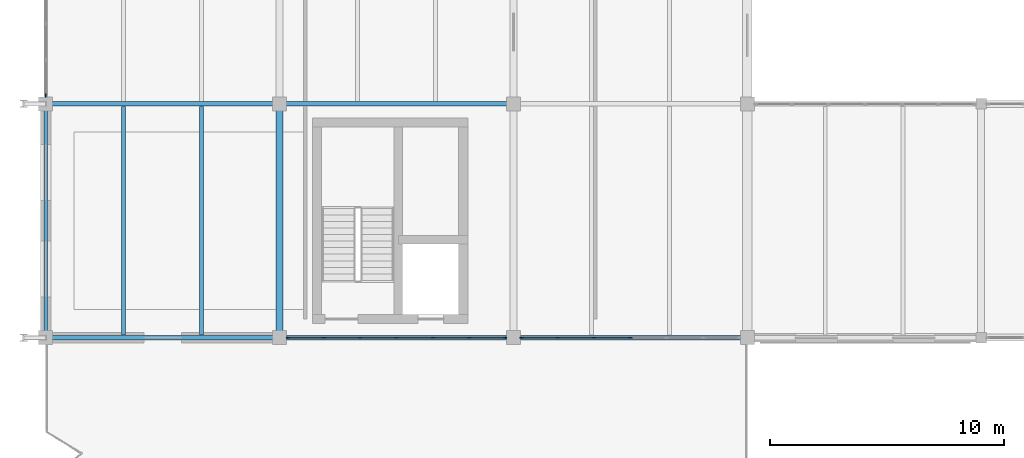
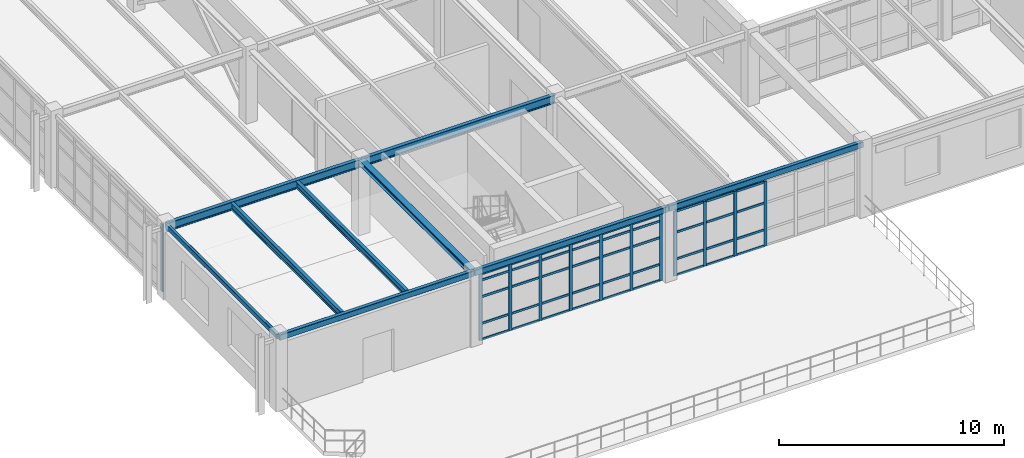
# One storey, part 24 of 122: 54 members, 9 beams, 3 elements without a shape of their own.
"""IFC4 building model written with IfcOpenShell, lengths in metres."""

import ifcopenshell
import ifcopenshell.guid

model = None  # the IFC model being written
_history = None  # IfcOwnerHistory: only IFC2X3 demands one
_inside = {}  # id of a spatial element -> (the spatial element, [elements in it])
_under = {}  # id of a project, library or spatial element -> (it, [spatial elements below it])
_declared = {}  # id of a project -> (the project, [libraries it declares])
_typed = {}  # id of a type object -> (the type object, [elements of that type])
_made_of = {}  # id of a material, layer set ... -> (it, [elements and type objects made of it])


def new_model(schema):
    """Start an empty IFC model of exactly this schema.

    Asked for "IFC4X3", IfcOpenShell would pick the latest addendum, in which some entities
    have other attributes; the version numbers below select the first issue.
    IFC2X3 requires an IfcOwnerHistory on every rooted entity: one is made here for all.
    """
    global model, _history
    if schema == "IFC4X3":
        model = ifcopenshell.file(schema_version=(4, 3, 0, 0))
    else:
        model = ifcopenshell.file(schema=schema)
    _inside.clear()
    _under.clear()
    _declared.clear()
    _typed.clear()
    _made_of.clear()
    _history = None
    if model.schema == "IFC2X3":
        org = make("IfcOrganization", Name="unknown")
        user = make(
            "IfcPersonAndOrganization",
            ThePerson=make("IfcPerson", FamilyName="unknown"),
            TheOrganization=org,
        )
        app = make(
            "IfcApplication",
            ApplicationDeveloper=org,
            Version="unknown",
            ApplicationFullName="unknown",
            ApplicationIdentifier="unknown",
        )
        _history = make(
            "IfcOwnerHistory",
            OwningUser=user,
            OwningApplication=app,
            ChangeAction="ADDED",
            CreationDate=0,
        )
    return model


def make(cls, **values):
    """One entity of the class cls with the attributes given. An attribute that is None is left unset."""
    return model.create_entity(
        cls, **{name: value for name, value in values.items() if value is not None}
    )


def rooted(cls, **values):
    """An entity with a GlobalId (a new one), such as an element, a storey or a relation."""
    return make(cls, GlobalId=ifcopenshell.guid.new(), OwnerHistory=_history, **values)


def si_unit(unit_type, name, prefix=None):
    """IfcSIUnit, for example si_unit("LENGTHUNIT", "METRE", prefix="MILLI")."""
    return make("IfcSIUnit", UnitType=unit_type, Prefix=prefix, Name=name)


def assignment(units):
    """IfcUnitAssignment: the units of a project."""
    return None if units is None else make("IfcUnitAssignment", Units=units)


def point(xyz):
    """IfcCartesianPoint."""
    return None if xyz is None else make("IfcCartesianPoint", Coordinates=xyz)


def direction(xyz):
    """IfcDirection."""
    return None if xyz is None else make("IfcDirection", DirectionRatios=xyz)


def frame(location, z_axis=None, x_axis=None):
    """IfcAxis2Placement3D, a coordinate frame: its origin and axes. An axis left out is left unset."""
    return make(
        "IfcAxis2Placement3D",
        Location=point(location),
        Axis=direction(z_axis),
        RefDirection=direction(x_axis),
    )


def frame_2d(location, x_axis=None):
    """IfcAxis2Placement2D, a coordinate frame in the plane: its origin and x axis."""
    return make(
        "IfcAxis2Placement2D", Location=point(location), RefDirection=direction(x_axis)
    )


def origin():
    """The frame at (0, 0, 0) with its axes left unset."""
    return frame((0.0, 0.0, 0.0))


def origin_2d():
    """The frame at (0, 0) in the plane with its x axis left unset."""
    return frame_2d((0.0, 0.0))


def place(relative_to, where):
    """IfcLocalPlacement: puts the frame where relative to a parent placement (None: the world)."""
    return make(
        "IfcLocalPlacement", PlacementRelTo=relative_to, RelativePlacement=where
    )


def context(
    kind, dimensions, precision=None, world=None, true_north=None, identifier=None
):
    """IfcGeometricRepresentationContext, for example the 3D "Model" context."""
    return make(
        "IfcGeometricRepresentationContext",
        ContextIdentifier=identifier,
        ContextType=kind,
        CoordinateSpaceDimension=dimensions,
        Precision=precision,
        WorldCoordinateSystem=world,
        TrueNorth=true_north,
    )


def subcontext(parent, identifier, kind, view, scale=None):
    """IfcGeometricRepresentationSubContext, for example "Body" below "Model"."""
    return make(
        "IfcGeometricRepresentationSubContext",
        ContextIdentifier=identifier,
        ContextType=kind,
        ParentContext=parent,
        TargetScale=scale,
        TargetView=view,
    )


def project(units=None, contexts=None):
    """IfcProject with its units and contexts."""
    return rooted(
        "IfcProject",
        Name="project",
        RepresentationContexts=contexts,
        UnitsInContext=assignment(units),
    )


def spatial(cls, under=None, at=None, **own):
    """A site, building, storey or space (cls), placed at a placement, below another one or the project."""
    s = rooted(cls, ObjectPlacement=at, **own)
    if under is not None:
        _under.setdefault(under.id(), (under, []))[1].append(s)
    return s


def profile(cls, at=None, kind="AREA", **sizes):
    """A parametric profile (cls). Its sizes go by their IFC names, for example OverallWidth=200.0."""
    return make(cls, ProfileType=kind, Position=at, **sizes)


def rectangle(**sizes):
    """IfcRectangleProfileDef."""
    return profile("IfcRectangleProfileDef", **sizes)


def hollow_rectangle(**sizes):
    """IfcRectangleHollowProfileDef."""
    return profile("IfcRectangleHollowProfileDef", **sizes)


def i_section(**sizes):
    """IfcIShapeProfileDef."""
    return profile("IfcIShapeProfileDef", **sizes)


def extrude(swept, where, along, depth):
    """IfcExtrudedAreaSolid: the profile swept, set in the frame where, extruded along a direction by depth."""
    return make(
        "IfcExtrudedAreaSolid",
        SweptArea=swept,
        Position=where,
        ExtrudedDirection=direction(along),
        Depth=depth,
    )


def shape(context_of_items, identifier, shape_type, items):
    """IfcShapeRepresentation: the items that make up one representation, for example the "Body"."""
    return make(
        "IfcShapeRepresentation",
        ContextOfItems=context_of_items,
        RepresentationIdentifier=identifier,
        RepresentationType=shape_type,
        Items=items,
    )


def material(Name=None, Category=None):
    """IfcMaterial."""
    return make("IfcMaterial", Name=Name, Category=Category)


def layer(
    of_material, thickness, ventilated=None, Name=None, Category=None, Priority=None
):
    """IfcMaterialLayer: one layer of a wall or slab, of a material (None: an air gap)."""
    return make(
        "IfcMaterialLayer",
        Material=of_material,
        LayerThickness=thickness,
        IsVentilated=ventilated,
        Name=Name,
        Category=Category,
        Priority=Priority,
    )


def layer_set(layers, Name=None):
    """IfcMaterialLayerSet."""
    return make("IfcMaterialLayerSet", MaterialLayers=layers, LayerSetName=Name)


def material_profile(
    of_material, cross_section, Name=None, Category=None, Priority=None
):
    """IfcMaterialProfile: a cross section and its material."""
    return make(
        "IfcMaterialProfile",
        Name=Name,
        Material=of_material,
        Profile=cross_section,
        Priority=Priority,
        Category=Category,
    )


def profile_set(profiles, Name=None, composite=None):
    """IfcMaterialProfileSet."""
    return make(
        "IfcMaterialProfileSet",
        Name=Name,
        MaterialProfiles=profiles,
        CompositeProfile=composite,
    )


def made_of(thing, what):
    """Note that an element or type object is made of a material, layer set ...; save() writes the relation."""
    if what is not None:
        _made_of.setdefault(what.id(), (what, []))[1].append(thing)
    return thing


def type_object(cls, material=None, **own):
    """A type object (cls), such as IfcWallType, which elements share."""
    return made_of(rooted(cls, **own), material)


def element(
    cls,
    number,
    at=None,
    inside=None,
    cuts=None,
    type_object=None,
    material=None,
    context=None,
    identifier="Body",
    shape_type=None,
    held_by="IfcProductDefinitionShape",
    body=None,
    shapes=None,
    **own,
):
    """One element of the class cls, such as IfcWall. Its Tag is "e" and its number.

    at: its placement. inside: the storey or other place that contains it. cuts: it is an
    opening in that element (IfcRelVoidsElement). A single representation is given by context,
    identifier, shape_type and body (its items); several are given by shapes. held_by: the class
    of the entity that holds the representations. save() writes the other relations.
    """
    e = rooted(cls, Tag="e%d" % number, ObjectPlacement=at, **own)
    if body is not None:
        shapes = [shape(context, identifier, shape_type, body)]
    if shapes is not None:
        e.Representation = make(held_by, Representations=shapes)
    if inside is not None:
        _inside.setdefault(inside.id(), (inside, []))[1].append(e)
    if cuts is not None:
        rooted(
            "IfcRelVoidsElement", RelatingBuildingElement=cuts, RelatedOpeningElement=e
        )
    if type_object is not None:
        _typed.setdefault(type_object.id(), (type_object, []))[1].append(e)
    return made_of(e, material)


def aggregate(whole, parts):
    """IfcRelAggregates: a whole, such as a stair, and the parts it consists of."""
    return rooted("IfcRelAggregates", RelatingObject=whole, RelatedObjects=parts)


def save(model, path):
    """Write the relations noted so far, then the file.

    IfcRelAggregates (storeys below a building ...), IfcRelContainedInSpatialStructure (elements
    in a storey), IfcRelDefinesByType, IfcRelAssociatesMaterial and IfcRelDeclares: one each for
    every whole, place, type object, material and project.
    """
    for whole, parts in _under.values():
        aggregate(whole, parts)
    for where, things in _inside.values():
        rooted(
            "IfcRelContainedInSpatialStructure",
            RelatedElements=things,
            RelatingStructure=where,
        )
    for kind, things in _typed.values():
        rooted("IfcRelDefinesByType", RelatedObjects=things, RelatingType=kind)
    for what, things in _made_of.values():
        rooted("IfcRelAssociatesMaterial", RelatedObjects=things, RelatingMaterial=what)
    for by, libraries in _declared.values():
        rooted("IfcRelDeclares", RelatingContext=by, RelatedDefinitions=libraries)
    model.write(path)


model = new_model("IFC4")

# Units and contexts
model_context = context("Model", 3, precision=1e-05, world=origin(), true_north=direction((0.0, 1.0)))
body_context = subcontext(model_context, "Body", "Model", "MODEL_VIEW")
ifc_project = project(units=[si_unit("LENGTHUNIT", "METRE"), si_unit("AREAUNIT", "SQUARE_METRE"), si_unit("VOLUMEUNIT", "CUBIC_METRE"), si_unit("PLANEANGLEUNIT", "RADIAN"), si_unit("MASSUNIT", "GRAM", prefix="KILO"), si_unit("THERMODYNAMICTEMPERATUREUNIT", "KELVIN"), si_unit("POWERUNIT", "WATT")], contexts=[model_context])

# Site, building, storey
site_placement = place(None, origin())
site = spatial("IfcSite", under=ifc_project, at=site_placement, CompositionType="ELEMENT")
building_placement = place(site_placement, origin())
building = spatial("IfcBuilding", under=site, at=building_placement, Name="Korenveer Ferry Terminal", CompositionType="ELEMENT")
storey_placement = place(building_placement, frame((0.0, 0.0, 10.199951171875)))
storey = spatial("IfcBuildingStorey", under=building, at=storey_placement, Name="L02", CompositionType="ELEMENT", Elevation=10.199951171875)

# Curtain wall, members
ifc_material_1 = material(Name="Unitised bronze-and-glass curtain wall", Category="glass")
ifc_layer_1 = layer(ifc_material_1, 0.159912109375)
ifc_layer_set_1 = layer_set([ifc_layer_1], Name="Unitised bronze-and-glass curtain wall")
curtain_wall_type_1 = type_object("IfcCurtainWallType", Name="ENV-CW-82", PredefinedType="USERDEFINED", material=ifc_layer_set_1)
curtain_wall_1_placement = place(storey_placement, frame((10.330078125, 20.0, 0.0)))
curtain_wall_1 = element("IfcCurtainWall", 1, at=curtain_wall_1_placement, inside=storey, type_object=curtain_wall_type_1, Name="Lancet curtain wall CWX-L02-X10-20-Y20-20", ObjectType="UNITISED CURTAIN WALL", PredefinedType="USERDEFINED")
ifc_material_2 = material(Name="Anodised bronze aluminium", Category="aluminium")
ifc_material_profile_1 = material_profile(ifc_material_2, rectangle(XDim=0.06005859375, YDim=0.159912109375, at=origin_2d()), Name="ALU 60x160")
ifc_profile_set_1 = profile_set([ifc_material_profile_1], Name="Anodised bronze aluminium")
member_type_1 = type_object("IfcMemberType", Name="ENV-CWM-60X160", PredefinedType="MULLION", material=ifc_profile_set_1)
member_1_placement = place(storey_placement, frame((10.360107421875, 20.0, 0.0), z_axis=(0.0, 0.0, 1.0), x_axis=(0.0, 1.0, 0.0)))
member_1 = element("IfcMember", 2, at=member_1_placement, type_object=member_type_1, Name="CW-82 mullion 1", PredefinedType="MULLION", context=body_context, shape_type="SweptSolid", body=[
    extrude(rectangle(XDim=0.06005859375, YDim=0.159912109375, at=origin_2d()), origin(), (0.0, 0.0, 1.0), 3.6201171875),
])
member_2_placement = place(storey_placement, frame((11.88671875, 20.0, 0.0), z_axis=(0.0, 0.0, 1.0), x_axis=(0.0, 1.0, 0.0)))
member_2 = element("IfcMember", 3, at=member_2_placement, type_object=member_type_1, Name="CW-82 mullion 2", PredefinedType="MULLION", context=body_context, shape_type="SweptSolid", body=[
    extrude(rectangle(XDim=0.06005859375, YDim=0.159912109375, at=origin_2d()), origin(), (0.0, 0.0, 1.0), 3.6201171875),
])
member_3_placement = place(storey_placement, frame((13.443359375, 20.0, 0.0), z_axis=(0.0, 0.0, 1.0), x_axis=(0.0, 1.0, 0.0)))
member_3 = element("IfcMember", 4, at=member_3_placement, type_object=member_type_1, Name="CW-82 mullion 3", PredefinedType="MULLION", context=body_context, shape_type="SweptSolid", body=[
    extrude(rectangle(XDim=0.06005859375, YDim=0.159912109375, at=origin_2d()), origin(), (0.0, 0.0, 1.0), 3.6201171875),
])
member_4_placement = place(storey_placement, frame((15.0, 20.0, 0.0), z_axis=(0.0, 0.0, 1.0), x_axis=(0.0, 1.0, 0.0)))
member_4 = element("IfcMember", 5, at=member_4_placement, type_object=member_type_1, Name="CW-82 mullion 4", PredefinedType="MULLION", context=body_context, shape_type="SweptSolid", body=[
    extrude(rectangle(XDim=0.06005859375, YDim=0.159912109375, at=origin_2d()), origin(), (0.0, 0.0, 1.0), 3.6201171875),
])
member_5_placement = place(storey_placement, frame((16.556640625, 20.0, 0.0), z_axis=(0.0, 0.0, 1.0), x_axis=(0.0, 1.0, 0.0)))
member_5 = element("IfcMember", 6, at=member_5_placement, type_object=member_type_1, Name="CW-82 mullion 5", PredefinedType="MULLION", context=body_context, shape_type="SweptSolid", body=[
    extrude(rectangle(XDim=0.06005859375, YDim=0.159912109375, at=origin_2d()), origin(), (0.0, 0.0, 1.0), 3.6201171875),
])
member_6_placement = place(storey_placement, frame((18.11328125, 20.0, 0.0), z_axis=(0.0, 0.0, 1.0), x_axis=(0.0, 1.0, 0.0)))
member_6 = element("IfcMember", 7, at=member_6_placement, type_object=member_type_1, Name="CW-82 mullion 6", PredefinedType="MULLION", context=body_context, shape_type="SweptSolid", body=[
    extrude(rectangle(XDim=0.06005859375, YDim=0.159912109375, at=origin_2d()), origin(), (0.0, 0.0, 1.0), 3.6201171875),
])
member_7_placement = place(storey_placement, frame((19.639892578125, 20.0, 0.0), z_axis=(0.0, 0.0, 1.0), x_axis=(0.0, 1.0, 0.0)))
member_7 = element("IfcMember", 8, at=member_7_placement, type_object=member_type_1, Name="CW-82 mullion 7", PredefinedType="MULLION", context=body_context, shape_type="SweptSolid", body=[
    extrude(rectangle(XDim=0.06005859375, YDim=0.159912109375, at=origin_2d()), origin(), (0.0, 0.0, 1.0), 3.6201171875),
])

ifc_layer_2 = layer(ifc_material_1, 0.159912109375)
ifc_layer_set_2 = layer_set([ifc_layer_2], Name="Unitised bronze-and-glass curtain wall")
curtain_wall_type_2 = type_object("IfcCurtainWallType", Name="ENV-CW-83", PredefinedType="USERDEFINED", material=ifc_layer_set_2)
curtain_wall_2_placement = place(storey_placement, frame((20.330078125, 20.0, 0.0)))
curtain_wall_2 = element("IfcCurtainWall", 9, at=curtain_wall_2_placement, inside=storey, type_object=curtain_wall_type_2, Name="Lancet curtain wall CWX-L02-X20-30-Y20-20", ObjectType="UNITISED CURTAIN WALL", PredefinedType="USERDEFINED")
member_8_placement = place(storey_placement, frame((20.360107421875, 20.0, 0.0), z_axis=(0.0, 0.0, 1.0), x_axis=(0.0, 1.0, 0.0)))
member_8 = element("IfcMember", 10, at=member_8_placement, type_object=member_type_1, Name="CW-83 mullion 1", PredefinedType="MULLION", context=body_context, shape_type="SweptSolid", body=[
    extrude(rectangle(XDim=0.06005859375, YDim=0.159912109375, at=origin_2d()), origin(), (0.0, 0.0, 1.0), 3.52001953125),
])
member_9_placement = place(storey_placement, frame((21.88671875, 20.0, 0.0), z_axis=(0.0, 0.0, 1.0), x_axis=(0.0, 1.0, 0.0)))
member_9 = element("IfcMember", 11, at=member_9_placement, type_object=member_type_1, Name="CW-83 mullion 2", PredefinedType="MULLION", context=body_context, shape_type="SweptSolid", body=[
    extrude(rectangle(XDim=0.06005859375, YDim=0.159912109375, at=origin_2d()), origin(), (0.0, 0.0, 1.0), 3.52001953125),
])
member_10_placement = place(storey_placement, frame((23.443359375, 20.0, 0.0), z_axis=(0.0, 0.0, 1.0), x_axis=(0.0, 1.0, 0.0)))
member_10 = element("IfcMember", 12, at=member_10_placement, type_object=member_type_1, Name="CW-83 mullion 3", PredefinedType="MULLION", context=body_context, shape_type="SweptSolid", body=[
    extrude(rectangle(XDim=0.06005859375, YDim=0.159912109375, at=origin_2d()), origin(), (0.0, 0.0, 1.0), 3.52001953125),
])
member_11_placement = place(storey_placement, frame((25.0, 20.0, 0.0), z_axis=(0.0, 0.0, 1.0), x_axis=(0.0, 1.0, 0.0)))
member_11 = element("IfcMember", 13, at=member_11_placement, type_object=member_type_1, Name="CW-83 mullion 4", PredefinedType="MULLION", context=body_context, shape_type="SweptSolid", body=[
    extrude(rectangle(XDim=0.06005859375, YDim=0.159912109375, at=origin_2d()), origin(), (0.0, 0.0, 1.0), 3.52001953125),
])

# Curtain wall, member
ifc_layer_3 = layer(ifc_material_1, 0.159912109375)
ifc_layer_set_3 = layer_set([ifc_layer_3], Name="Unitised bronze-and-glass curtain wall")
curtain_wall_type_3 = type_object("IfcCurtainWallType", Name="ENV-CW-104", PredefinedType="USERDEFINED", material=ifc_layer_set_3)
curtain_wall_3_placement = place(storey_placement, frame((0.0, 30.330078125, 0.0)))
curtain_wall_3 = element("IfcCurtainWall", 14, at=curtain_wall_3_placement, inside=storey, type_object=curtain_wall_type_3, Name="Lancet curtain wall CWX-L02-X0-0-Y30-40", ObjectType="UNITISED CURTAIN WALL", PredefinedType="USERDEFINED")
member_12_placement = place(storey_placement, frame((0.0, 30.360107421875, 0.0), z_axis=(0.0, 0.0, 1.0), x_axis=(-1.0, 0.0, 0.0)))
member_12 = element("IfcMember", 15, at=member_12_placement, type_object=member_type_1, Name="CW-104 mullion 1", PredefinedType="MULLION", context=body_context, shape_type="SweptSolid", body=[
    extrude(rectangle(XDim=0.06005859375, YDim=0.159912109375, at=origin_2d()), origin(), (0.0, 0.0, 1.0), 3.670166015625),
])
aggregate(curtain_wall_3, [member_12])

# Member
ifc_material_profile_2 = material_profile(ifc_material_2, rectangle(XDim=0.06005859375, YDim=0.1201171875, at=origin_2d()), Name="ALU 60x120")
ifc_profile_set_2 = profile_set([ifc_material_profile_2], Name="Anodised bronze aluminium")
member_type_2 = type_object("IfcMemberType", Name="ENV-CWT-60X120", PredefinedType="USERDEFINED", material=ifc_profile_set_2)
member_13_placement = place(storey_placement, frame((10.389892578125, 20.0, 0.030029296875), z_axis=(1.0, 0.0, 0.0), x_axis=(0.0, 1.0, 0.0)))
member_13 = element("IfcMember", 16, at=member_13_placement, type_object=member_type_2, Name="CW-82 transom 1.1", ObjectType="TRANSOM", PredefinedType="USERDEFINED", context=body_context, shape_type="SweptSolid", body=[
    extrude(rectangle(XDim=0.06005859375, YDim=0.1201171875, at=origin_2d()), origin(), (0.0, 0.0, 1.0), 1.466796875),
])

member_14_placement = place(storey_placement, frame((10.389892578125, 20.0, 0.900146484375), z_axis=(1.0, 0.0, 0.0), x_axis=(0.0, 1.0, 0.0)))
member_14 = element("IfcMember", 17, at=member_14_placement, type_object=member_type_2, Name="CW-82 transom 1.2", ObjectType="TRANSOM", PredefinedType="USERDEFINED", context=body_context, shape_type="SweptSolid", body=[
    extrude(rectangle(XDim=0.06005859375, YDim=0.1201171875, at=origin_2d()), origin(), (0.0, 0.0, 1.0), 1.466796875),
])

member_15_placement = place(storey_placement, frame((10.389892578125, 20.0, 2.35009765625), z_axis=(1.0, 0.0, 0.0), x_axis=(0.0, 1.0, 0.0)))
member_15 = element("IfcMember", 18, at=member_15_placement, type_object=member_type_2, Name="CW-82 transom 1.3", ObjectType="TRANSOM", PredefinedType="USERDEFINED", context=body_context, shape_type="SweptSolid", body=[
    extrude(rectangle(XDim=0.06005859375, YDim=0.1201171875, at=origin_2d()), origin(), (0.0, 0.0, 1.0), 1.466796875),
])

member_16_placement = place(storey_placement, frame((10.389892578125, 20.0, 3.25), z_axis=(1.0, 0.0, 0.0), x_axis=(0.0, 1.0, 0.0)))
member_16 = element("IfcMember", 19, at=member_16_placement, type_object=member_type_2, Name="CW-82 transom 1.4", ObjectType="TRANSOM", PredefinedType="USERDEFINED", context=body_context, shape_type="SweptSolid", body=[
    extrude(rectangle(XDim=0.06005859375, YDim=0.1201171875, at=origin_2d()), origin(), (0.0, 0.0, 1.0), 1.466796875),
])

member_17_placement = place(storey_placement, frame((10.389892578125, 20.0, 3.590087890625), z_axis=(1.0, 0.0, 0.0), x_axis=(0.0, 1.0, 0.0)))
member_17 = element("IfcMember", 20, at=member_17_placement, type_object=member_type_2, Name="CW-82 transom 1.5", ObjectType="TRANSOM", PredefinedType="USERDEFINED", context=body_context, shape_type="SweptSolid", body=[
    extrude(rectangle(XDim=0.06005859375, YDim=0.1201171875, at=origin_2d()), origin(), (0.0, 0.0, 1.0), 1.466796875),
])

member_18_placement = place(storey_placement, frame((11.916748046875, 20.0, 0.030029296875), z_axis=(1.0, 0.0, 0.0), x_axis=(0.0, 1.0, 0.0)))
member_18 = element("IfcMember", 21, at=member_18_placement, type_object=member_type_2, Name="CW-82 transom 2.1", ObjectType="TRANSOM", PredefinedType="USERDEFINED", context=body_context, shape_type="SweptSolid", body=[
    extrude(rectangle(XDim=0.06005859375, YDim=0.1201171875, at=origin_2d()), origin(), (0.0, 0.0, 1.0), 1.49658203125),
])

member_19_placement = place(storey_placement, frame((11.916748046875, 20.0, 0.900146484375), z_axis=(1.0, 0.0, 0.0), x_axis=(0.0, 1.0, 0.0)))
member_19 = element("IfcMember", 22, at=member_19_placement, type_object=member_type_2, Name="CW-82 transom 2.2", ObjectType="TRANSOM", PredefinedType="USERDEFINED", context=body_context, shape_type="SweptSolid", body=[
    extrude(rectangle(XDim=0.06005859375, YDim=0.1201171875, at=origin_2d()), origin(), (0.0, 0.0, 1.0), 1.49658203125),
])

member_20_placement = place(storey_placement, frame((11.916748046875, 20.0, 2.35009765625), z_axis=(1.0, 0.0, 0.0), x_axis=(0.0, 1.0, 0.0)))
member_20 = element("IfcMember", 23, at=member_20_placement, type_object=member_type_2, Name="CW-82 transom 2.3", ObjectType="TRANSOM", PredefinedType="USERDEFINED", context=body_context, shape_type="SweptSolid", body=[
    extrude(rectangle(XDim=0.06005859375, YDim=0.1201171875, at=origin_2d()), origin(), (0.0, 0.0, 1.0), 1.49658203125),
])

member_21_placement = place(storey_placement, frame((11.916748046875, 20.0, 3.25), z_axis=(1.0, 0.0, 0.0), x_axis=(0.0, 1.0, 0.0)))
member_21 = element("IfcMember", 24, at=member_21_placement, type_object=member_type_2, Name="CW-82 transom 2.4", ObjectType="TRANSOM", PredefinedType="USERDEFINED", context=body_context, shape_type="SweptSolid", body=[
    extrude(rectangle(XDim=0.06005859375, YDim=0.1201171875, at=origin_2d()), origin(), (0.0, 0.0, 1.0), 1.49658203125),
])

member_22_placement = place(storey_placement, frame((11.916748046875, 20.0, 3.590087890625), z_axis=(1.0, 0.0, 0.0), x_axis=(0.0, 1.0, 0.0)))
member_22 = element("IfcMember", 25, at=member_22_placement, type_object=member_type_2, Name="CW-82 transom 2.5", ObjectType="TRANSOM", PredefinedType="USERDEFINED", context=body_context, shape_type="SweptSolid", body=[
    extrude(rectangle(XDim=0.06005859375, YDim=0.1201171875, at=origin_2d()), origin(), (0.0, 0.0, 1.0), 1.49658203125),
])

member_23_placement = place(storey_placement, frame((13.473388671875, 20.0, 0.030029296875), z_axis=(1.0, 0.0, 0.0), x_axis=(0.0, 1.0, 0.0)))
member_23 = element("IfcMember", 26, at=member_23_placement, type_object=member_type_2, Name="CW-82 transom 3.1", ObjectType="TRANSOM", PredefinedType="USERDEFINED", context=body_context, shape_type="SweptSolid", body=[
    extrude(rectangle(XDim=0.06005859375, YDim=0.1201171875, at=origin_2d()), origin(), (0.0, 0.0, 1.0), 1.49658203125),
])

member_24_placement = place(storey_placement, frame((13.473388671875, 20.0, 0.900146484375), z_axis=(1.0, 0.0, 0.0), x_axis=(0.0, 1.0, 0.0)))
member_24 = element("IfcMember", 27, at=member_24_placement, type_object=member_type_2, Name="CW-82 transom 3.2", ObjectType="TRANSOM", PredefinedType="USERDEFINED", context=body_context, shape_type="SweptSolid", body=[
    extrude(rectangle(XDim=0.06005859375, YDim=0.1201171875, at=origin_2d()), origin(), (0.0, 0.0, 1.0), 1.49658203125),
])

member_25_placement = place(storey_placement, frame((13.473388671875, 20.0, 2.35009765625), z_axis=(1.0, 0.0, 0.0), x_axis=(0.0, 1.0, 0.0)))
member_25 = element("IfcMember", 28, at=member_25_placement, type_object=member_type_2, Name="CW-82 transom 3.3", ObjectType="TRANSOM", PredefinedType="USERDEFINED", context=body_context, shape_type="SweptSolid", body=[
    extrude(rectangle(XDim=0.06005859375, YDim=0.1201171875, at=origin_2d()), origin(), (0.0, 0.0, 1.0), 1.49658203125),
])

member_26_placement = place(storey_placement, frame((13.473388671875, 20.0, 3.25), z_axis=(1.0, 0.0, 0.0), x_axis=(0.0, 1.0, 0.0)))
member_26 = element("IfcMember", 29, at=member_26_placement, type_object=member_type_2, Name="CW-82 transom 3.4", ObjectType="TRANSOM", PredefinedType="USERDEFINED", context=body_context, shape_type="SweptSolid", body=[
    extrude(rectangle(XDim=0.06005859375, YDim=0.1201171875, at=origin_2d()), origin(), (0.0, 0.0, 1.0), 1.49658203125),
])

member_27_placement = place(storey_placement, frame((13.473388671875, 20.0, 3.590087890625), z_axis=(1.0, 0.0, 0.0), x_axis=(0.0, 1.0, 0.0)))
member_27 = element("IfcMember", 30, at=member_27_placement, type_object=member_type_2, Name="CW-82 transom 3.5", ObjectType="TRANSOM", PredefinedType="USERDEFINED", context=body_context, shape_type="SweptSolid", body=[
    extrude(rectangle(XDim=0.06005859375, YDim=0.1201171875, at=origin_2d()), origin(), (0.0, 0.0, 1.0), 1.49658203125),
])

member_28_placement = place(storey_placement, frame((15.030029296875, 20.0, 0.030029296875), z_axis=(1.0, 0.0, 0.0), x_axis=(0.0, 1.0, 0.0)))
member_28 = element("IfcMember", 31, at=member_28_placement, type_object=member_type_2, Name="CW-82 transom 4.1", ObjectType="TRANSOM", PredefinedType="USERDEFINED", context=body_context, shape_type="SweptSolid", body=[
    extrude(rectangle(XDim=0.06005859375, YDim=0.1201171875, at=origin_2d()), origin(), (0.0, 0.0, 1.0), 1.49658203125),
])

member_29_placement = place(storey_placement, frame((15.030029296875, 20.0, 0.900146484375), z_axis=(1.0, 0.0, 0.0), x_axis=(0.0, 1.0, 0.0)))
member_29 = element("IfcMember", 32, at=member_29_placement, type_object=member_type_2, Name="CW-82 transom 4.2", ObjectType="TRANSOM", PredefinedType="USERDEFINED", context=body_context, shape_type="SweptSolid", body=[
    extrude(rectangle(XDim=0.06005859375, YDim=0.1201171875, at=origin_2d()), origin(), (0.0, 0.0, 1.0), 1.49658203125),
])

member_30_placement = place(storey_placement, frame((15.030029296875, 20.0, 2.35009765625), z_axis=(1.0, 0.0, 0.0), x_axis=(0.0, 1.0, 0.0)))
member_30 = element("IfcMember", 33, at=member_30_placement, type_object=member_type_2, Name="CW-82 transom 4.3", ObjectType="TRANSOM", PredefinedType="USERDEFINED", context=body_context, shape_type="SweptSolid", body=[
    extrude(rectangle(XDim=0.06005859375, YDim=0.1201171875, at=origin_2d()), origin(), (0.0, 0.0, 1.0), 1.49658203125),
])

member_31_placement = place(storey_placement, frame((15.030029296875, 20.0, 3.25), z_axis=(1.0, 0.0, 0.0), x_axis=(0.0, 1.0, 0.0)))
member_31 = element("IfcMember", 34, at=member_31_placement, type_object=member_type_2, Name="CW-82 transom 4.4", ObjectType="TRANSOM", PredefinedType="USERDEFINED", context=body_context, shape_type="SweptSolid", body=[
    extrude(rectangle(XDim=0.06005859375, YDim=0.1201171875, at=origin_2d()), origin(), (0.0, 0.0, 1.0), 1.49658203125),
])

member_32_placement = place(storey_placement, frame((15.030029296875, 20.0, 3.590087890625), z_axis=(1.0, 0.0, 0.0), x_axis=(0.0, 1.0, 0.0)))
member_32 = element("IfcMember", 35, at=member_32_placement, type_object=member_type_2, Name="CW-82 transom 4.5", ObjectType="TRANSOM", PredefinedType="USERDEFINED", context=body_context, shape_type="SweptSolid", body=[
    extrude(rectangle(XDim=0.06005859375, YDim=0.1201171875, at=origin_2d()), origin(), (0.0, 0.0, 1.0), 1.49658203125),
])

member_33_placement = place(storey_placement, frame((16.586669921875, 20.0, 0.030029296875), z_axis=(1.0, 0.0, 0.0), x_axis=(0.0, 1.0, 0.0)))
member_33 = element("IfcMember", 36, at=member_33_placement, type_object=member_type_2, Name="CW-82 transom 5.1", ObjectType="TRANSOM", PredefinedType="USERDEFINED", context=body_context, shape_type="SweptSolid", body=[
    extrude(rectangle(XDim=0.06005859375, YDim=0.1201171875, at=origin_2d()), origin(), (0.0, 0.0, 1.0), 1.49658203125),
])

member_34_placement = place(storey_placement, frame((16.586669921875, 20.0, 0.900146484375), z_axis=(1.0, 0.0, 0.0), x_axis=(0.0, 1.0, 0.0)))
member_34 = element("IfcMember", 37, at=member_34_placement, type_object=member_type_2, Name="CW-82 transom 5.2", ObjectType="TRANSOM", PredefinedType="USERDEFINED", context=body_context, shape_type="SweptSolid", body=[
    extrude(rectangle(XDim=0.06005859375, YDim=0.1201171875, at=origin_2d()), origin(), (0.0, 0.0, 1.0), 1.49658203125),
])

member_35_placement = place(storey_placement, frame((16.586669921875, 20.0, 2.35009765625), z_axis=(1.0, 0.0, 0.0), x_axis=(0.0, 1.0, 0.0)))
member_35 = element("IfcMember", 38, at=member_35_placement, type_object=member_type_2, Name="CW-82 transom 5.3", ObjectType="TRANSOM", PredefinedType="USERDEFINED", context=body_context, shape_type="SweptSolid", body=[
    extrude(rectangle(XDim=0.06005859375, YDim=0.1201171875, at=origin_2d()), origin(), (0.0, 0.0, 1.0), 1.49658203125),
])

member_36_placement = place(storey_placement, frame((16.586669921875, 20.0, 3.25), z_axis=(1.0, 0.0, 0.0), x_axis=(0.0, 1.0, 0.0)))
member_36 = element("IfcMember", 39, at=member_36_placement, type_object=member_type_2, Name="CW-82 transom 5.4", ObjectType="TRANSOM", PredefinedType="USERDEFINED", context=body_context, shape_type="SweptSolid", body=[
    extrude(rectangle(XDim=0.06005859375, YDim=0.1201171875, at=origin_2d()), origin(), (0.0, 0.0, 1.0), 1.49658203125),
])

member_37_placement = place(storey_placement, frame((16.586669921875, 20.0, 3.590087890625), z_axis=(1.0, 0.0, 0.0), x_axis=(0.0, 1.0, 0.0)))
member_37 = element("IfcMember", 40, at=member_37_placement, type_object=member_type_2, Name="CW-82 transom 5.5", ObjectType="TRANSOM", PredefinedType="USERDEFINED", context=body_context, shape_type="SweptSolid", body=[
    extrude(rectangle(XDim=0.06005859375, YDim=0.1201171875, at=origin_2d()), origin(), (0.0, 0.0, 1.0), 1.49658203125),
])

member_38_placement = place(storey_placement, frame((18.143310546875, 20.0, 0.030029296875), z_axis=(1.0, 0.0, 0.0), x_axis=(0.0, 1.0, 0.0)))
member_38 = element("IfcMember", 41, at=member_38_placement, type_object=member_type_2, Name="CW-82 transom 6.1", ObjectType="TRANSOM", PredefinedType="USERDEFINED", context=body_context, shape_type="SweptSolid", body=[
    extrude(rectangle(XDim=0.06005859375, YDim=0.1201171875, at=origin_2d()), origin(), (0.0, 0.0, 1.0), 1.466796875),
])

member_39_placement = place(storey_placement, frame((18.143310546875, 20.0, 0.900146484375), z_axis=(1.0, 0.0, 0.0), x_axis=(0.0, 1.0, 0.0)))
member_39 = element("IfcMember", 42, at=member_39_placement, type_object=member_type_2, Name="CW-82 transom 6.2", ObjectType="TRANSOM", PredefinedType="USERDEFINED", context=body_context, shape_type="SweptSolid", body=[
    extrude(rectangle(XDim=0.06005859375, YDim=0.1201171875, at=origin_2d()), origin(), (0.0, 0.0, 1.0), 1.466796875),
])

member_40_placement = place(storey_placement, frame((18.143310546875, 20.0, 2.35009765625), z_axis=(1.0, 0.0, 0.0), x_axis=(0.0, 1.0, 0.0)))
member_40 = element("IfcMember", 43, at=member_40_placement, type_object=member_type_2, Name="CW-82 transom 6.3", ObjectType="TRANSOM", PredefinedType="USERDEFINED", context=body_context, shape_type="SweptSolid", body=[
    extrude(rectangle(XDim=0.06005859375, YDim=0.1201171875, at=origin_2d()), origin(), (0.0, 0.0, 1.0), 1.466796875),
])

member_41_placement = place(storey_placement, frame((18.143310546875, 20.0, 3.25), z_axis=(1.0, 0.0, 0.0), x_axis=(0.0, 1.0, 0.0)))
member_41 = element("IfcMember", 44, at=member_41_placement, type_object=member_type_2, Name="CW-82 transom 6.4", ObjectType="TRANSOM", PredefinedType="USERDEFINED", context=body_context, shape_type="SweptSolid", body=[
    extrude(rectangle(XDim=0.06005859375, YDim=0.1201171875, at=origin_2d()), origin(), (0.0, 0.0, 1.0), 1.466796875),
])

member_42_placement = place(storey_placement, frame((18.143310546875, 20.0, 3.590087890625), z_axis=(1.0, 0.0, 0.0), x_axis=(0.0, 1.0, 0.0)))
member_42 = element("IfcMember", 45, at=member_42_placement, type_object=member_type_2, Name="CW-82 transom 6.5", ObjectType="TRANSOM", PredefinedType="USERDEFINED", context=body_context, shape_type="SweptSolid", body=[
    extrude(rectangle(XDim=0.06005859375, YDim=0.1201171875, at=origin_2d()), origin(), (0.0, 0.0, 1.0), 1.466796875),
])

aggregate(curtain_wall_1, [member_1, member_2, member_3, member_4, member_5, member_6, member_7, member_13, member_14, member_15, member_16, member_17, member_18, member_19, member_20, member_21, member_22, member_23, member_24, member_25, member_26, member_27, member_28, member_29, member_30, member_31, member_32, member_33, member_34, member_35, member_36, member_37, member_38, member_39, member_40, member_41, member_42])

member_43_placement = place(storey_placement, frame((20.389892578125, 20.0, 0.030029296875), z_axis=(1.0, 0.0, 0.0), x_axis=(0.0, 1.0, 0.0)))
member_43 = element("IfcMember", 46, at=member_43_placement, type_object=member_type_2, Name="CW-83 transom 1.1", ObjectType="TRANSOM", PredefinedType="USERDEFINED", context=body_context, shape_type="SweptSolid", body=[
    extrude(rectangle(XDim=0.06005859375, YDim=0.1201171875, at=origin_2d()), origin(), (0.0, 0.0, 1.0), 1.466796875),
])

member_44_placement = place(storey_placement, frame((20.389892578125, 20.0, 0.900146484375), z_axis=(1.0, 0.0, 0.0), x_axis=(0.0, 1.0, 0.0)))
member_44 = element("IfcMember", 47, at=member_44_placement, type_object=member_type_2, Name="CW-83 transom 1.2", ObjectType="TRANSOM", PredefinedType="USERDEFINED", context=body_context, shape_type="SweptSolid", body=[
    extrude(rectangle(XDim=0.06005859375, YDim=0.1201171875, at=origin_2d()), origin(), (0.0, 0.0, 1.0), 1.466796875),
])

member_45_placement = place(storey_placement, frame((20.389892578125, 20.0, 2.35009765625), z_axis=(1.0, 0.0, 0.0), x_axis=(0.0, 1.0, 0.0)))
member_45 = element("IfcMember", 48, at=member_45_placement, type_object=member_type_2, Name="CW-83 transom 1.3", ObjectType="TRANSOM", PredefinedType="USERDEFINED", context=body_context, shape_type="SweptSolid", body=[
    extrude(rectangle(XDim=0.06005859375, YDim=0.1201171875, at=origin_2d()), origin(), (0.0, 0.0, 1.0), 1.466796875),
])

member_46_placement = place(storey_placement, frame((20.389892578125, 20.0, 3.489990234375), z_axis=(1.0, 0.0, 0.0), x_axis=(0.0, 1.0, 0.0)))
member_46 = element("IfcMember", 49, at=member_46_placement, type_object=member_type_2, Name="CW-83 transom 1.4", ObjectType="TRANSOM", PredefinedType="USERDEFINED", context=body_context, shape_type="SweptSolid", body=[
    extrude(rectangle(XDim=0.06005859375, YDim=0.1201171875, at=origin_2d()), origin(), (0.0, 0.0, 1.0), 1.466796875),
])

member_47_placement = place(storey_placement, frame((21.916748046875, 20.0, 0.030029296875), z_axis=(1.0, 0.0, 0.0), x_axis=(0.0, 1.0, 0.0)))
member_47 = element("IfcMember", 50, at=member_47_placement, type_object=member_type_2, Name="CW-83 transom 2.1", ObjectType="TRANSOM", PredefinedType="USERDEFINED", context=body_context, shape_type="SweptSolid", body=[
    extrude(rectangle(XDim=0.06005859375, YDim=0.1201171875, at=origin_2d()), origin(), (0.0, 0.0, 1.0), 1.49658203125),
])

member_48_placement = place(storey_placement, frame((21.916748046875, 20.0, 0.900146484375), z_axis=(1.0, 0.0, 0.0), x_axis=(0.0, 1.0, 0.0)))
member_48 = element("IfcMember", 51, at=member_48_placement, type_object=member_type_2, Name="CW-83 transom 2.2", ObjectType="TRANSOM", PredefinedType="USERDEFINED", context=body_context, shape_type="SweptSolid", body=[
    extrude(rectangle(XDim=0.06005859375, YDim=0.1201171875, at=origin_2d()), origin(), (0.0, 0.0, 1.0), 1.49658203125),
])

member_49_placement = place(storey_placement, frame((21.916748046875, 20.0, 2.35009765625), z_axis=(1.0, 0.0, 0.0), x_axis=(0.0, 1.0, 0.0)))
member_49 = element("IfcMember", 52, at=member_49_placement, type_object=member_type_2, Name="CW-83 transom 2.3", ObjectType="TRANSOM", PredefinedType="USERDEFINED", context=body_context, shape_type="SweptSolid", body=[
    extrude(rectangle(XDim=0.06005859375, YDim=0.1201171875, at=origin_2d()), origin(), (0.0, 0.0, 1.0), 1.49658203125),
])

member_50_placement = place(storey_placement, frame((21.916748046875, 20.0, 3.489990234375), z_axis=(1.0, 0.0, 0.0), x_axis=(0.0, 1.0, 0.0)))
member_50 = element("IfcMember", 53, at=member_50_placement, type_object=member_type_2, Name="CW-83 transom 2.4", ObjectType="TRANSOM", PredefinedType="USERDEFINED", context=body_context, shape_type="SweptSolid", body=[
    extrude(rectangle(XDim=0.06005859375, YDim=0.1201171875, at=origin_2d()), origin(), (0.0, 0.0, 1.0), 1.49658203125),
])

member_51_placement = place(storey_placement, frame((23.473388671875, 20.0, 0.030029296875), z_axis=(1.0, 0.0, 0.0), x_axis=(0.0, 1.0, 0.0)))
member_51 = element("IfcMember", 54, at=member_51_placement, type_object=member_type_2, Name="CW-83 transom 3.1", ObjectType="TRANSOM", PredefinedType="USERDEFINED", context=body_context, shape_type="SweptSolid", body=[
    extrude(rectangle(XDim=0.06005859375, YDim=0.1201171875, at=origin_2d()), origin(), (0.0, 0.0, 1.0), 1.49658203125),
])

member_52_placement = place(storey_placement, frame((23.473388671875, 20.0, 0.900146484375), z_axis=(1.0, 0.0, 0.0), x_axis=(0.0, 1.0, 0.0)))
member_52 = element("IfcMember", 55, at=member_52_placement, type_object=member_type_2, Name="CW-83 transom 3.2", ObjectType="TRANSOM", PredefinedType="USERDEFINED", context=body_context, shape_type="SweptSolid", body=[
    extrude(rectangle(XDim=0.06005859375, YDim=0.1201171875, at=origin_2d()), origin(), (0.0, 0.0, 1.0), 1.49658203125),
])

member_53_placement = place(storey_placement, frame((23.473388671875, 20.0, 2.35009765625), z_axis=(1.0, 0.0, 0.0), x_axis=(0.0, 1.0, 0.0)))
member_53 = element("IfcMember", 56, at=member_53_placement, type_object=member_type_2, Name="CW-83 transom 3.3", ObjectType="TRANSOM", PredefinedType="USERDEFINED", context=body_context, shape_type="SweptSolid", body=[
    extrude(rectangle(XDim=0.06005859375, YDim=0.1201171875, at=origin_2d()), origin(), (0.0, 0.0, 1.0), 1.49658203125),
])

member_54_placement = place(storey_placement, frame((23.473388671875, 20.0, 3.489990234375), z_axis=(1.0, 0.0, 0.0), x_axis=(0.0, 1.0, 0.0)))
member_54 = element("IfcMember", 57, at=member_54_placement, type_object=member_type_2, Name="CW-83 transom 3.4", ObjectType="TRANSOM", PredefinedType="USERDEFINED", context=body_context, shape_type="SweptSolid", body=[
    extrude(rectangle(XDim=0.06005859375, YDim=0.1201171875, at=origin_2d()), origin(), (0.0, 0.0, 1.0), 1.49658203125),
])

aggregate(curtain_wall_2, [member_8, member_9, member_10, member_11, member_43, member_44, member_45, member_46, member_47, member_48, member_49, member_50, member_51, member_52, member_53, member_54])

# Beams
ifc_material_3 = material(Name="Steel S355", Category="steel")
ifc_material_profile_3 = material_profile(ifc_material_3, i_section(OverallWidth=0.300048828125, OverallDepth=0.2900390625, WebThickness=0.008544921875, FlangeThickness=0.013916015625, FilletRadius=0.027099609375, at=origin_2d()), Name="HEA 300")
ifc_profile_set_3 = profile_set([ifc_material_profile_3], Name="Steel S355")
beam_type_1 = type_object("IfcBeamType", Name="STR-BM-HEA300", PredefinedType="BEAM", material=ifc_profile_set_3)
beam_1_placement = place(storey_placement, frame((10.0, 20.02001953125, 3.804931640625), z_axis=(0.0, 1.0, 0.0), x_axis=(-1.0, 0.0, 0.0)))
element("IfcBeam", 58, at=beam_1_placement, inside=storey, type_object=beam_type_1, Name="Primary Y girder BMY-L03-X10-Y20-30", PredefinedType="BEAM", context=body_context, shape_type="SweptSolid", body=[
    extrude(i_section(OverallWidth=0.300048828125, OverallDepth=0.2900390625, WebThickness=0.008544921875, FlangeThickness=0.013916015625, FilletRadius=0.027099609375, at=origin_2d()), origin(), (0.0, 0.0, 1.0), 9.9599609375),
])
ifc_material_profile_4 = material_profile(ifc_material_3, i_section(OverallWidth=0.18994140625, OverallDepth=0.449951171875, WebThickness=0.009521484375, FlangeThickness=0.0146484375, FilletRadius=0.02099609375, at=origin_2d()), Name="IPE 450")
ifc_profile_set_4 = profile_set([ifc_material_profile_4], Name="Steel S355")
beam_type_2 = type_object("IfcBeamType", Name="STR-BM-IPE450", PredefinedType="BEAM", material=ifc_profile_set_4)
for number, where, z_axis, x_axis, name in (
    (59, (0.02001953125, 30.0, 3.72509765625), (1.0, 0.0, 0.0), (0.0, 1.0, 0.0), "Primary X girder BMX-L03-X0-10-Y30"),
    (60, (10.02001953125, 30.0, 3.72509765625), (1.0, 0.0, 0.0), (0.0, 1.0, 0.0), "Primary X girder BMX-L03-X10-20-Y30"),
):
    element("IfcBeam", number, at=place(storey_placement, frame(where, z_axis=z_axis, x_axis=x_axis)), inside=storey, type_object=beam_type_2, Name=name, PredefinedType="BEAM", context=body_context, shape_type="SweptSolid", body=[
        extrude(i_section(OverallWidth=0.18994140625, OverallDepth=0.449951171875, WebThickness=0.009521484375, FlangeThickness=0.0146484375, FilletRadius=0.02099609375, at=origin_2d()), origin(), (0.0, 0.0, 1.0), 9.9599609375),
    ])
ifc_material_profile_5 = material_profile(ifc_material_3, i_section(OverallWidth=0.169921875, OverallDepth=0.360107421875, WebThickness=0.008056640625, FlangeThickness=0.0126953125, FilletRadius=0.01806640625, at=origin_2d()), Name="IPE 360")
ifc_profile_set_5 = profile_set([ifc_material_profile_5], Name="Steel S355")
beam_type_3 = type_object("IfcBeamType", Name="STR-JST-IPE360", PredefinedType="JOIST", material=ifc_profile_set_5)
for number, where, z_axis, x_axis, name in (
    (61, (3.333251953125, 20.110107421875, 3.77001953125), (0.0, 1.0, 0.0), (-1.0, 0.0, 0.0), "Secondary composite joist JST-L03-X33-Y20-30"),
    (62, (6.666748046875, 20.110107421875, 3.77001953125), (0.0, 1.0, 0.0), (-1.0, 0.0, 0.0), "Secondary composite joist JST-L03-X67-Y20-30"),
):
    element("IfcBeam", number, at=place(storey_placement, frame(where, z_axis=z_axis, x_axis=x_axis)), inside=storey, type_object=beam_type_3, Name=name, PredefinedType="JOIST", context=body_context, shape_type="SweptSolid", body=[
        extrude(i_section(OverallWidth=0.169921875, OverallDepth=0.360107421875, WebThickness=0.008056640625, FlangeThickness=0.0126953125, FilletRadius=0.01806640625, at=origin_2d()), origin(), (0.0, 0.0, 1.0), 9.784912109375),
    ])
ifc_material_profile_6 = material_profile(ifc_material_3, hollow_rectangle(XDim=0.14990234375, YDim=0.25, WallThickness=0.010009765625, InnerFilletRadius=0.010009765625, OuterFilletRadius=0.014892578125, at=origin_2d()), Name="RHS 250x150x10")
ifc_profile_set_6 = profile_set([ifc_material_profile_6], Name="Steel S355")
beam_type_4 = type_object("IfcBeamType", Name="STR-SPD-RHS250", PredefinedType="SPANDREL", material=ifc_profile_set_6)
beam_2_placement = place(storey_placement, frame((0.0, 20.02001953125, 3.824951171875), z_axis=(0.0, 1.0, 0.0), x_axis=(-1.0, 0.0, 0.0)))
element("IfcBeam", 63, at=beam_2_placement, inside=storey, type_object=beam_type_4, Name="Primary Y girder BMY-L03-X0-Y20-30", PredefinedType="SPANDREL", context=body_context, shape_type="SweptSolid", body=[
    extrude(hollow_rectangle(XDim=0.14990234375, YDim=0.25, WallThickness=0.010009765625, InnerFilletRadius=0.010009765625, OuterFilletRadius=0.014892578125, at=origin_2d()), origin(), (0.0, 0.0, 1.0), 9.9599609375),
])
ifc_material_profile_7 = material_profile(ifc_material_3, hollow_rectangle(XDim=0.199951171875, YDim=0.300048828125, WallThickness=0.012451171875, InnerFilletRadius=0.012451171875, OuterFilletRadius=0.018798828125, at=origin_2d()), Name="RHS 300x200x12.5")
ifc_profile_set_7 = profile_set([ifc_material_profile_7], Name="Steel S355")
beam_type_5 = type_object("IfcBeamType", Name="STR-SPD-RHS300", PredefinedType="SPANDREL", material=ifc_profile_set_7)
for number, where, z_axis, x_axis, name in (
    (64, (0.02001953125, 20.0, 3.800048828125), (1.0, 0.0, 0.0), (0.0, 1.0, 0.0), "Primary X girder BMX-L03-X0-10-Y20"),
    (65, (10.02001953125, 20.0, 3.800048828125), (1.0, 0.0, 0.0), (0.0, 1.0, 0.0), "Primary X girder BMX-L03-X10-20-Y20"),
    (66, (20.02001953125, 20.0, 3.800048828125), (1.0, 0.0, 0.0), (0.0, 1.0, 0.0), "Primary X girder BMX-L03-X20-30-Y20"),
):
    element("IfcBeam", number, at=place(storey_placement, frame(where, z_axis=z_axis, x_axis=x_axis)), inside=storey, type_object=beam_type_5, Name=name, PredefinedType="SPANDREL", context=body_context, shape_type="SweptSolid", body=[
        extrude(hollow_rectangle(XDim=0.199951171875, YDim=0.300048828125, WallThickness=0.012451171875, InnerFilletRadius=0.012451171875, OuterFilletRadius=0.018798828125, at=origin_2d()), origin(), (0.0, 0.0, 1.0), 9.9599609375),
    ])

save(model, "model.ifc")
